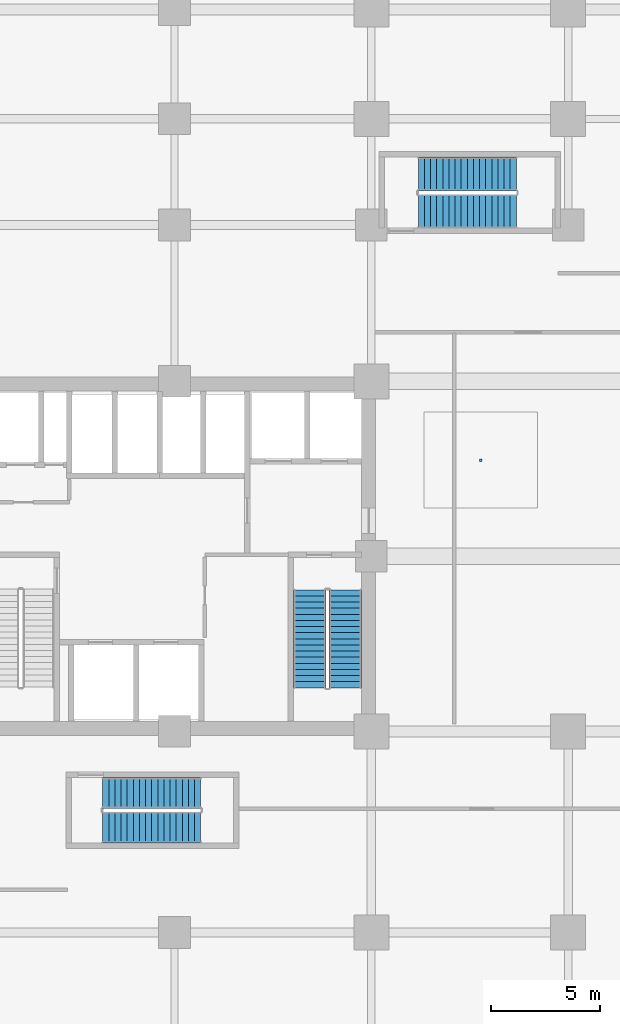
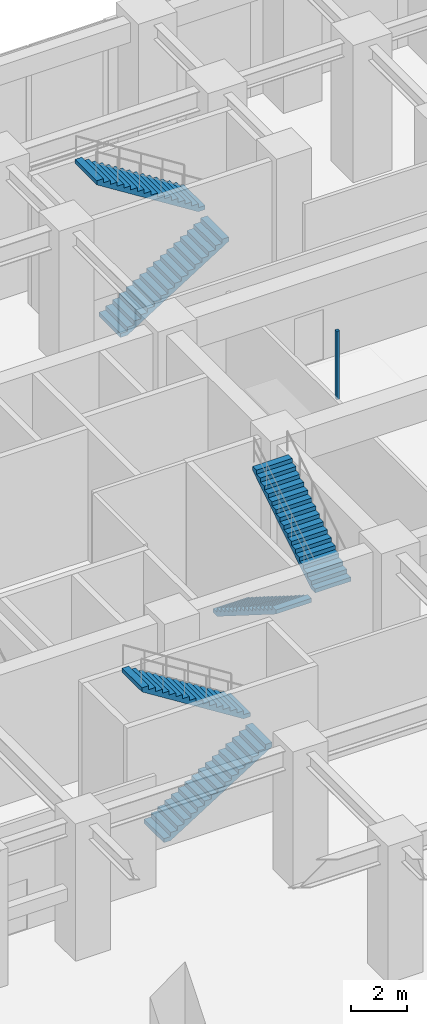
# One storey, part 26 of 34: 6 stair flights, 1 discrete accessory, 3 elements without a shape of their own.
"""IFC4 building model written with IfcOpenShell, lengths in metres."""

import ifcopenshell
import ifcopenshell.guid

model = None  # the IFC model being written
_history = None  # IfcOwnerHistory: only IFC2X3 demands one
_inside = {}  # id of a spatial element -> (the spatial element, [elements in it])
_under = {}  # id of a project, library or spatial element -> (it, [spatial elements below it])
_declared = {}  # id of a project -> (the project, [libraries it declares])
_typed = {}  # id of a type object -> (the type object, [elements of that type])
_made_of = {}  # id of a material, layer set ... -> (it, [elements and type objects made of it])


def new_model(schema):
    """Start an empty IFC model of exactly this schema.

    Asked for "IFC4X3", IfcOpenShell would pick the latest addendum, in which some entities
    have other attributes; the version numbers below select the first issue.
    IFC2X3 requires an IfcOwnerHistory on every rooted entity: one is made here for all.
    """
    global model, _history
    if schema == "IFC4X3":
        model = ifcopenshell.file(schema_version=(4, 3, 0, 0))
    else:
        model = ifcopenshell.file(schema=schema)
    _inside.clear()
    _under.clear()
    _declared.clear()
    _typed.clear()
    _made_of.clear()
    _history = None
    if model.schema == "IFC2X3":
        org = make("IfcOrganization", Name="unknown")
        user = make(
            "IfcPersonAndOrganization",
            ThePerson=make("IfcPerson", FamilyName="unknown"),
            TheOrganization=org,
        )
        app = make(
            "IfcApplication",
            ApplicationDeveloper=org,
            Version="unknown",
            ApplicationFullName="unknown",
            ApplicationIdentifier="unknown",
        )
        _history = make(
            "IfcOwnerHistory",
            OwningUser=user,
            OwningApplication=app,
            ChangeAction="ADDED",
            CreationDate=0,
        )
    return model


def make(cls, **values):
    """One entity of the class cls with the attributes given. An attribute that is None is left unset."""
    return model.create_entity(
        cls, **{name: value for name, value in values.items() if value is not None}
    )


def rooted(cls, **values):
    """An entity with a GlobalId (a new one), such as an element, a storey or a relation."""
    return make(cls, GlobalId=ifcopenshell.guid.new(), OwnerHistory=_history, **values)


def si_unit(unit_type, name, prefix=None):
    """IfcSIUnit, for example si_unit("LENGTHUNIT", "METRE", prefix="MILLI")."""
    return make("IfcSIUnit", UnitType=unit_type, Prefix=prefix, Name=name)


def assignment(units):
    """IfcUnitAssignment: the units of a project."""
    return None if units is None else make("IfcUnitAssignment", Units=units)


def point(xyz):
    """IfcCartesianPoint."""
    return None if xyz is None else make("IfcCartesianPoint", Coordinates=xyz)


def direction(xyz):
    """IfcDirection."""
    return None if xyz is None else make("IfcDirection", DirectionRatios=xyz)


def frame(location, z_axis=None, x_axis=None):
    """IfcAxis2Placement3D, a coordinate frame: its origin and axes. An axis left out is left unset."""
    return make(
        "IfcAxis2Placement3D",
        Location=point(location),
        Axis=direction(z_axis),
        RefDirection=direction(x_axis),
    )


def frame_2d(location, x_axis=None):
    """IfcAxis2Placement2D, a coordinate frame in the plane: its origin and x axis."""
    return make(
        "IfcAxis2Placement2D", Location=point(location), RefDirection=direction(x_axis)
    )


def origin():
    """The frame at (0, 0, 0) with its axes left unset."""
    return frame((0.0, 0.0, 0.0))


def origin_2d():
    """The frame at (0, 0) in the plane with its x axis left unset."""
    return frame_2d((0.0, 0.0))


def place(relative_to, where):
    """IfcLocalPlacement: puts the frame where relative to a parent placement (None: the world)."""
    return make(
        "IfcLocalPlacement", PlacementRelTo=relative_to, RelativePlacement=where
    )


def context(
    kind, dimensions, precision=None, world=None, true_north=None, identifier=None
):
    """IfcGeometricRepresentationContext, for example the 3D "Model" context."""
    return make(
        "IfcGeometricRepresentationContext",
        ContextIdentifier=identifier,
        ContextType=kind,
        CoordinateSpaceDimension=dimensions,
        Precision=precision,
        WorldCoordinateSystem=world,
        TrueNorth=true_north,
    )


def subcontext(parent, identifier, kind, view, scale=None):
    """IfcGeometricRepresentationSubContext, for example "Body" below "Model"."""
    return make(
        "IfcGeometricRepresentationSubContext",
        ContextIdentifier=identifier,
        ContextType=kind,
        ParentContext=parent,
        TargetScale=scale,
        TargetView=view,
    )


def project(units=None, contexts=None):
    """IfcProject with its units and contexts."""
    return rooted(
        "IfcProject",
        Name="project",
        RepresentationContexts=contexts,
        UnitsInContext=assignment(units),
    )


def spatial(cls, under=None, at=None, **own):
    """A site, building, storey or space (cls), placed at a placement, below another one or the project."""
    s = rooted(cls, ObjectPlacement=at, **own)
    if under is not None:
        _under.setdefault(under.id(), (under, []))[1].append(s)
    return s


def polyline(points):
    """IfcPolyline through the points."""
    return make("IfcPolyline", Points=[point(p) for p in points])


def profile(cls, at=None, kind="AREA", **sizes):
    """A parametric profile (cls). Its sizes go by their IFC names, for example OverallWidth=200.0."""
    return make(cls, ProfileType=kind, Position=at, **sizes)


def rectangle(**sizes):
    """IfcRectangleProfileDef."""
    return profile("IfcRectangleProfileDef", **sizes)


def outline(outer, holes=None, kind="AREA"):
    """IfcArbitraryClosedProfileDef: a profile drawn as a closed curve; with holes, ...WithVoids."""
    if holes is None:
        return make("IfcArbitraryClosedProfileDef", ProfileType=kind, OuterCurve=outer)
    return make(
        "IfcArbitraryProfileDefWithVoids",
        ProfileType=kind,
        OuterCurve=outer,
        InnerCurves=holes,
    )


def extrude(swept, where, along, depth):
    """IfcExtrudedAreaSolid: the profile swept, set in the frame where, extruded along a direction by depth."""
    return make(
        "IfcExtrudedAreaSolid",
        SweptArea=swept,
        Position=where,
        ExtrudedDirection=direction(along),
        Depth=depth,
    )


def shape(context_of_items, identifier, shape_type, items):
    """IfcShapeRepresentation: the items that make up one representation, for example the "Body"."""
    return make(
        "IfcShapeRepresentation",
        ContextOfItems=context_of_items,
        RepresentationIdentifier=identifier,
        RepresentationType=shape_type,
        Items=items,
    )


def source(mapping_origin, context_of_items, identifier, shape_type, items):
    """IfcRepresentationMap: a shape defined once, which mapped items show again and again."""
    return make(
        "IfcRepresentationMap",
        MappingOrigin=mapping_origin,
        MappedRepresentation=shape(context_of_items, identifier, shape_type, items),
    )


def transform(
    local_origin,
    x_axis=None,
    y_axis=None,
    z_axis=None,
    scale=None,
    scale2=None,
    scale3=None,
    uniform=True,
):
    """IfcCartesianTransformationOperator3D, or its non-uniform kind. x_axis, y_axis, z_axis: its Axis1, 2, 3."""
    if uniform:
        return make(
            "IfcCartesianTransformationOperator3D",
            Axis1=direction(x_axis),
            Axis2=direction(y_axis),
            LocalOrigin=point(local_origin),
            Scale=scale,
            Axis3=direction(z_axis),
        )
    return make(
        "IfcCartesianTransformationOperator3DnonUniform",
        Axis1=direction(x_axis),
        Axis2=direction(y_axis),
        LocalOrigin=point(local_origin),
        Scale=scale,
        Axis3=direction(z_axis),
        Scale2=scale2,
        Scale3=scale3,
    )


def mapped(mapping_source, mapping_target):
    """IfcMappedItem: shows the shape of a source again, moved by a transform."""
    return make(
        "IfcMappedItem", MappingSource=mapping_source, MappingTarget=mapping_target
    )


def material(Name=None, Category=None):
    """IfcMaterial."""
    return make("IfcMaterial", Name=Name, Category=Category)


def made_of(thing, what):
    """Note that an element or type object is made of a material, layer set ...; save() writes the relation."""
    if what is not None:
        _made_of.setdefault(what.id(), (what, []))[1].append(thing)
    return thing


def type_object(cls, material=None, **own):
    """A type object (cls), such as IfcWallType, which elements share."""
    return made_of(rooted(cls, **own), material)


def element(
    cls,
    number,
    at=None,
    inside=None,
    cuts=None,
    type_object=None,
    material=None,
    context=None,
    identifier="Body",
    shape_type=None,
    held_by="IfcProductDefinitionShape",
    body=None,
    shapes=None,
    **own,
):
    """One element of the class cls, such as IfcWall. Its Tag is "e" and its number.

    at: its placement. inside: the storey or other place that contains it. cuts: it is an
    opening in that element (IfcRelVoidsElement). A single representation is given by context,
    identifier, shape_type and body (its items); several are given by shapes. held_by: the class
    of the entity that holds the representations. save() writes the other relations.
    """
    e = rooted(cls, Tag="e%d" % number, ObjectPlacement=at, **own)
    if body is not None:
        shapes = [shape(context, identifier, shape_type, body)]
    if shapes is not None:
        e.Representation = make(held_by, Representations=shapes)
    if inside is not None:
        _inside.setdefault(inside.id(), (inside, []))[1].append(e)
    if cuts is not None:
        rooted(
            "IfcRelVoidsElement", RelatingBuildingElement=cuts, RelatedOpeningElement=e
        )
    if type_object is not None:
        _typed.setdefault(type_object.id(), (type_object, []))[1].append(e)
    return made_of(e, material)


def aggregate(whole, parts):
    """IfcRelAggregates: a whole, such as a stair, and the parts it consists of."""
    return rooted("IfcRelAggregates", RelatingObject=whole, RelatedObjects=parts)


def save(model, path):
    """Write the relations noted so far, then the file.

    IfcRelAggregates (storeys below a building ...), IfcRelContainedInSpatialStructure (elements
    in a storey), IfcRelDefinesByType, IfcRelAssociatesMaterial and IfcRelDeclares: one each for
    every whole, place, type object, material and project.
    """
    for whole, parts in _under.values():
        aggregate(whole, parts)
    for where, things in _inside.values():
        rooted(
            "IfcRelContainedInSpatialStructure",
            RelatedElements=things,
            RelatingStructure=where,
        )
    for kind, things in _typed.values():
        rooted("IfcRelDefinesByType", RelatedObjects=things, RelatingType=kind)
    for what, things in _made_of.values():
        rooted("IfcRelAssociatesMaterial", RelatedObjects=things, RelatingMaterial=what)
    for by, libraries in _declared.values():
        rooted("IfcRelDeclares", RelatingContext=by, RelatedDefinitions=libraries)
    model.write(path)


model = new_model("IFC4")

# Units and contexts
model_context = context("Model", 3, precision=1e-05, world=origin(), true_north=direction((0.0, 1.0)))
body_context = subcontext(model_context, "Body", "Model", "MODEL_VIEW")
ifc_project = project(units=[si_unit("LENGTHUNIT", "METRE"), si_unit("AREAUNIT", "SQUARE_METRE"), si_unit("VOLUMEUNIT", "CUBIC_METRE"), si_unit("PLANEANGLEUNIT", "RADIAN"), si_unit("MASSUNIT", "GRAM", prefix="KILO")], contexts=[model_context])

# Site, building, storey
site_placement = place(None, origin())
site = spatial("IfcSite", under=ifc_project, at=site_placement, CompositionType="ELEMENT")
building_placement = place(site_placement, origin())
building = spatial("IfcBuilding", under=site, at=building_placement, Name="Torre Montelarca", CompositionType="ELEMENT")
storey_placement = place(building_placement, frame((0.0, 0.0, 6.0)))
storey = spatial("IfcBuildingStorey", under=building, at=storey_placement, Name="L02", CompositionType="ELEMENT", Elevation=6.0)

# Stair, stair flights
ifc_material_1 = material(Name="Concrete C40/50", Category="concrete")
stair_type_1 = type_object("IfcStairType", Name="ST-CORE-ST2", PredefinedType="HALF_TURN_STAIR", material=ifc_material_1)
stair_1_placement = place(storey_placement, origin())
stair_1 = element("IfcStair", 1, at=stair_1_placement, inside=storey, type_object=stair_type_1, Name="L02 Protected Exit Stair ST2", PredefinedType="HALF_TURN_STAIR")
stair_flight_type_1 = type_object("IfcStairFlightType", Name="SFL-CORE-ST2", PredefinedType="STRAIGHT", material=ifc_material_1)
stair_flight_1_placement = place(storey_placement, frame((24.179931640625, 30.469970703125, 0.0), z_axis=(0.0, 0.0, 1.0), x_axis=(0.0, -1.0, 0.0)))
stair_flight_1 = element("IfcStairFlight", 2, at=stair_flight_1_placement, type_object=stair_flight_type_1, Name="ST2 flight 1", NumberOfRisers=17, NumberOfTreads=16, PredefinedType="STRAIGHT", RiserHeight=0.176470588, TreadLength=0.28, context=body_context, shape_type="SweptSolid", body=[
    extrude(outline(polyline([(0.0, 0.0), (0.0, 0.176513671875), (0.280029296875, 0.176513671875), (0.280029296875, 0.35302734375), (0.56005859375, 0.35302734375), (0.56005859375, 0.529296875), (0.840087890625, 0.529296875), (0.840087890625, 0.705810546875), (1.1201171875, 0.705810546875), (1.1201171875, 0.88232421875), (1.39990234375, 0.88232421875), (1.39990234375, 1.058837890625), (1.679931640625, 1.058837890625), (1.679931640625, 1.2353515625), (1.9599609375, 1.2353515625), (1.9599609375, 1.411865234375), (2.239990234375, 1.411865234375), (2.239990234375, 1.588134765625), (2.52001953125, 1.588134765625), (2.52001953125, 1.7646484375), (2.800048828125, 1.7646484375), (2.800048828125, 1.941162109375), (3.080078125, 1.941162109375), (3.080078125, 2.11767578125), (3.360107421875, 2.11767578125), (3.360107421875, 2.294189453125), (3.639892578125, 2.294189453125), (3.639892578125, 2.470703125), (3.919921875, 2.470703125), (3.919921875, 2.64697265625), (4.199951171875, 2.64697265625), (4.199951171875, 2.823486328125), (4.47998046875, 2.823486328125), (4.47998046875, 3.0), (4.47998046875, 2.646240234375), (0.28125, 0.0), (0.0, 0.0)])), frame((0.0, 0.739990234375, 0.0), z_axis=(0.0, -1.0, 0.0), x_axis=(1.0, 0.0, 0.0)), (0.0, 0.0, 1.0), 1.47998046875),
])
stair_flight_2_placement = place(storey_placement, frame((25.81005859375, 25.989990234375, 3.0), z_axis=(0.0, 0.0, 1.0), x_axis=(0.0, 1.0, 0.0)))
stair_flight_2 = element("IfcStairFlight", 3, at=stair_flight_2_placement, type_object=stair_flight_type_1, Name="ST2 flight 2", NumberOfRisers=17, NumberOfTreads=16, PredefinedType="STRAIGHT", RiserHeight=0.176470588, TreadLength=0.28, context=body_context, shape_type="SweptSolid", body=[
    extrude(outline(polyline([(0.0, 0.0), (0.0, 0.176513671875), (0.280029296875, 0.176513671875), (0.280029296875, 0.35302734375), (0.56005859375, 0.35302734375), (0.56005859375, 0.529296875), (0.840087890625, 0.529296875), (0.840087890625, 0.705810546875), (1.1201171875, 0.705810546875), (1.1201171875, 0.88232421875), (1.39990234375, 0.88232421875), (1.39990234375, 1.058837890625), (1.679931640625, 1.058837890625), (1.679931640625, 1.2353515625), (1.9599609375, 1.2353515625), (1.9599609375, 1.411865234375), (2.239990234375, 1.411865234375), (2.239990234375, 1.588134765625), (2.52001953125, 1.588134765625), (2.52001953125, 1.7646484375), (2.800048828125, 1.7646484375), (2.800048828125, 1.941162109375), (3.080078125, 1.941162109375), (3.080078125, 2.11767578125), (3.360107421875, 2.11767578125), (3.360107421875, 2.294189453125), (3.639892578125, 2.294189453125), (3.639892578125, 2.470703125), (3.919921875, 2.470703125), (3.919921875, 2.64697265625), (4.199951171875, 2.64697265625), (4.199951171875, 2.823486328125), (4.47998046875, 2.823486328125), (4.47998046875, 3.0), (4.47998046875, 2.646240234375), (0.28125, 0.0), (0.0, 0.0)])), frame((0.0, 0.739990234375, 0.0), z_axis=(0.0, -1.0, 0.0), x_axis=(1.0, 0.0, 0.0)), (0.0, 0.0, 1.0), 1.47998046875),
])
aggregate(stair_1, [stair_flight_1, stair_flight_2])

stair_type_2 = type_object("IfcStairType", Name="ST-CORE-ST3", PredefinedType="HALF_TURN_STAIR", material=ifc_material_1)
stair_2_placement = place(storey_placement, origin())
stair_2 = element("IfcStair", 4, at=stair_2_placement, inside=storey, type_object=stair_type_2, Name="L02 Low-Rise Exit Stair ST3", PredefinedType="HALF_TURN_STAIR")
stair_flight_type_2 = type_object("IfcStairFlightType", Name="SFL-CORE-ST3", PredefinedType="STRAIGHT", material=ifc_material_1)
stair_flight_3_placement = place(storey_placement, frame((14.719970703125, 19.610107421875, 0.0), z_axis=(0.0, 0.0, 1.0), x_axis=(1.0, 0.0, 0.0)))
stair_flight_3 = element("IfcStairFlight", 5, at=stair_flight_3_placement, type_object=stair_flight_type_2, Name="ST3 flight 1", NumberOfRisers=17, NumberOfTreads=16, PredefinedType="STRAIGHT", RiserHeight=0.176470588, TreadLength=0.28, context=body_context, shape_type="SweptSolid", body=[
    extrude(outline(polyline([(0.0, 0.0), (0.0, 0.176513671875), (0.280029296875, 0.176513671875), (0.280029296875, 0.35302734375), (0.56005859375, 0.35302734375), (0.56005859375, 0.529296875), (0.840087890625, 0.529296875), (0.840087890625, 0.705810546875), (1.1201171875, 0.705810546875), (1.1201171875, 0.88232421875), (1.39990234375, 0.88232421875), (1.39990234375, 1.058837890625), (1.679931640625, 1.058837890625), (1.679931640625, 1.2353515625), (1.9599609375, 1.2353515625), (1.9599609375, 1.411865234375), (2.239990234375, 1.411865234375), (2.239990234375, 1.588134765625), (2.52001953125, 1.588134765625), (2.52001953125, 1.7646484375), (2.800048828125, 1.7646484375), (2.800048828125, 1.941162109375), (3.080078125, 1.941162109375), (3.080078125, 2.11767578125), (3.360107421875, 2.11767578125), (3.360107421875, 2.294189453125), (3.639892578125, 2.294189453125), (3.639892578125, 2.470703125), (3.919921875, 2.470703125), (3.919921875, 2.64697265625), (4.199951171875, 2.64697265625), (4.199951171875, 2.823486328125), (4.47998046875, 2.823486328125), (4.47998046875, 3.0), (4.47998046875, 2.646240234375), (0.28125, 0.0), (0.0, 0.0)])), frame((0.0, 0.7099609375, 0.0), z_axis=(0.0, -1.0, 0.0), x_axis=(1.0, 0.0, 0.0)), (0.0, 0.0, 1.0), 1.419921875),
])
stair_flight_4_placement = place(storey_placement, frame((19.199951171875, 21.179931640625, 3.0), z_axis=(0.0, 0.0, 1.0), x_axis=(-1.0, 0.0, 0.0)))
stair_flight_4 = element("IfcStairFlight", 6, at=stair_flight_4_placement, type_object=stair_flight_type_2, Name="ST3 flight 2", NumberOfRisers=17, NumberOfTreads=16, PredefinedType="STRAIGHT", RiserHeight=0.176470588, TreadLength=0.28, context=body_context, shape_type="SweptSolid", body=[
    extrude(outline(polyline([(0.0, 0.0), (0.0, 0.176513671875), (0.280029296875, 0.176513671875), (0.280029296875, 0.35302734375), (0.56005859375, 0.35302734375), (0.56005859375, 0.529296875), (0.840087890625, 0.529296875), (0.840087890625, 0.705810546875), (1.1201171875, 0.705810546875), (1.1201171875, 0.88232421875), (1.39990234375, 0.88232421875), (1.39990234375, 1.058837890625), (1.679931640625, 1.058837890625), (1.679931640625, 1.2353515625), (1.9599609375, 1.2353515625), (1.9599609375, 1.411865234375), (2.239990234375, 1.411865234375), (2.239990234375, 1.588134765625), (2.52001953125, 1.588134765625), (2.52001953125, 1.7646484375), (2.800048828125, 1.7646484375), (2.800048828125, 1.941162109375), (3.080078125, 1.941162109375), (3.080078125, 2.11767578125), (3.360107421875, 2.11767578125), (3.360107421875, 2.294189453125), (3.639892578125, 2.294189453125), (3.639892578125, 2.470703125), (3.919921875, 2.470703125), (3.919921875, 2.64697265625), (4.199951171875, 2.64697265625), (4.199951171875, 2.823486328125), (4.47998046875, 2.823486328125), (4.47998046875, 3.0), (4.47998046875, 2.646240234375), (0.28125, 0.0), (0.0, 0.0)])), frame((0.0, 0.7099609375, 0.0), z_axis=(0.0, -1.0, 0.0), x_axis=(1.0, 0.0, 0.0)), (0.0, 0.0, 1.0), 1.419921875),
])
aggregate(stair_2, [stair_flight_3, stair_flight_4])

stair_type_3 = type_object("IfcStairType", Name="ST-CORE-ST4", PredefinedType="HALF_TURN_STAIR", material=ifc_material_1)
stair_3_placement = place(storey_placement, origin())
stair_3 = element("IfcStair", 7, at=stair_3_placement, inside=storey, type_object=stair_type_3, Name="L02 Podium Exchange Feature Stair ST4", PredefinedType="HALF_TURN_STAIR")
stair_flight_type_3 = type_object("IfcStairFlightType", Name="SFL-CORE-ST4", PredefinedType="STRAIGHT", material=ifc_material_1)
stair_flight_5_placement = place(storey_placement, frame((29.14990234375, 47.77490234375, 0.0), z_axis=(0.0, 0.0, 1.0), x_axis=(1.0, 0.0, 0.0)))
stair_flight_5 = element("IfcStairFlight", 8, at=stair_flight_5_placement, type_object=stair_flight_type_3, Name="ST4 flight 1", NumberOfRisers=17, NumberOfTreads=16, PredefinedType="STRAIGHT", RiserHeight=0.176470588, TreadLength=0.28, context=body_context, shape_type="SweptSolid", body=[
    extrude(outline(polyline([(0.0, 0.0), (0.0, 0.176513671875), (0.280029296875, 0.176513671875), (0.280029296875, 0.35302734375), (0.56005859375, 0.35302734375), (0.56005859375, 0.529296875), (0.840087890625, 0.529296875), (0.840087890625, 0.705810546875), (1.1201171875, 0.705810546875), (1.1201171875, 0.88232421875), (1.39990234375, 0.88232421875), (1.39990234375, 1.058837890625), (1.679931640625, 1.058837890625), (1.679931640625, 1.2353515625), (1.9599609375, 1.2353515625), (1.9599609375, 1.411865234375), (2.239990234375, 1.411865234375), (2.239990234375, 1.588134765625), (2.52001953125, 1.588134765625), (2.52001953125, 1.7646484375), (2.800048828125, 1.7646484375), (2.800048828125, 1.941162109375), (3.080078125, 1.941162109375), (3.080078125, 2.11767578125), (3.360107421875, 2.11767578125), (3.360107421875, 2.294189453125), (3.639892578125, 2.294189453125), (3.639892578125, 2.470703125), (3.919921875, 2.470703125), (3.919921875, 2.64697265625), (4.199951171875, 2.64697265625), (4.199951171875, 2.823486328125), (4.47998046875, 2.823486328125), (4.47998046875, 3.0), (4.47998046875, 2.646240234375), (0.28125, 0.0), (0.0, 0.0)])), frame((0.0, 0.77490234375, 0.0), z_axis=(0.0, -1.0, 0.0), x_axis=(1.0, 0.0, 0.0)), (0.0, 0.0, 1.0), 1.550048828125),
])
stair_flight_6_placement = place(storey_placement, frame((33.6298828125, 49.47509765625, 3.0), z_axis=(0.0, 0.0, 1.0), x_axis=(-1.0, 0.0, 0.0)))
stair_flight_6 = element("IfcStairFlight", 9, at=stair_flight_6_placement, type_object=stair_flight_type_3, Name="ST4 flight 2", NumberOfRisers=17, NumberOfTreads=16, PredefinedType="STRAIGHT", RiserHeight=0.176470588, TreadLength=0.28, context=body_context, shape_type="SweptSolid", body=[
    extrude(outline(polyline([(0.0, 0.0), (0.0, 0.176513671875), (0.280029296875, 0.176513671875), (0.280029296875, 0.35302734375), (0.56005859375, 0.35302734375), (0.56005859375, 0.529296875), (0.840087890625, 0.529296875), (0.840087890625, 0.705810546875), (1.1201171875, 0.705810546875), (1.1201171875, 0.88232421875), (1.39990234375, 0.88232421875), (1.39990234375, 1.058837890625), (1.679931640625, 1.058837890625), (1.679931640625, 1.2353515625), (1.9599609375, 1.2353515625), (1.9599609375, 1.411865234375), (2.239990234375, 1.411865234375), (2.239990234375, 1.588134765625), (2.52001953125, 1.588134765625), (2.52001953125, 1.7646484375), (2.800048828125, 1.7646484375), (2.800048828125, 1.941162109375), (3.080078125, 1.941162109375), (3.080078125, 2.11767578125), (3.360107421875, 2.11767578125), (3.360107421875, 2.294189453125), (3.639892578125, 2.294189453125), (3.639892578125, 2.470703125), (3.919921875, 2.470703125), (3.919921875, 2.64697265625), (4.199951171875, 2.64697265625), (4.199951171875, 2.823486328125), (4.47998046875, 2.823486328125), (4.47998046875, 3.0), (4.47998046875, 2.646240234375), (0.28125, 0.0), (0.0, 0.0)])), frame((0.0, 0.77490234375, 0.0), z_axis=(0.0, -1.0, 0.0), x_axis=(1.0, 0.0, 0.0)), (0.0, 0.0, 1.0), 1.550048828125),
])
aggregate(stair_3, [stair_flight_5, stair_flight_6])

# Discrete accessory
ifc_material_2 = material(Name="Galvanized steel suspension hanger", Category="steel")
discrete_accessory_type = type_object("IfcDiscreteAccessoryType", Name="ACC-CEIL-HNG", PredefinedType="BRACKET", material=ifc_material_2)
shared_shape = source(origin(), body_context, "Body", "SweptSolid", [
    extrude(rectangle(XDim=0.1201171875, YDim=0.1201171875, at=origin_2d()), origin(), (0.0, 0.0, 1.0), 3.0),
])
discrete_accessory_placement = place(storey_placement, frame((32.0, 36.39990234375, 2.760009765625), z_axis=(0.0, 0.0, 1.0), x_axis=(1.0, 0.0, 0.0)))
element("IfcDiscreteAccessory", 10, at=discrete_accessory_placement, inside=storey, type_object=discrete_accessory_type, Name="L02 Suspended Ceiling Hanger Bracket 01", PredefinedType="BRACKET", context=body_context, shape_type="MappedRepresentation", body=[
    mapped(shared_shape, transform((0.0, 0.0, 0.0), scale=1.0)),
])

save(model, "model.ifc")
